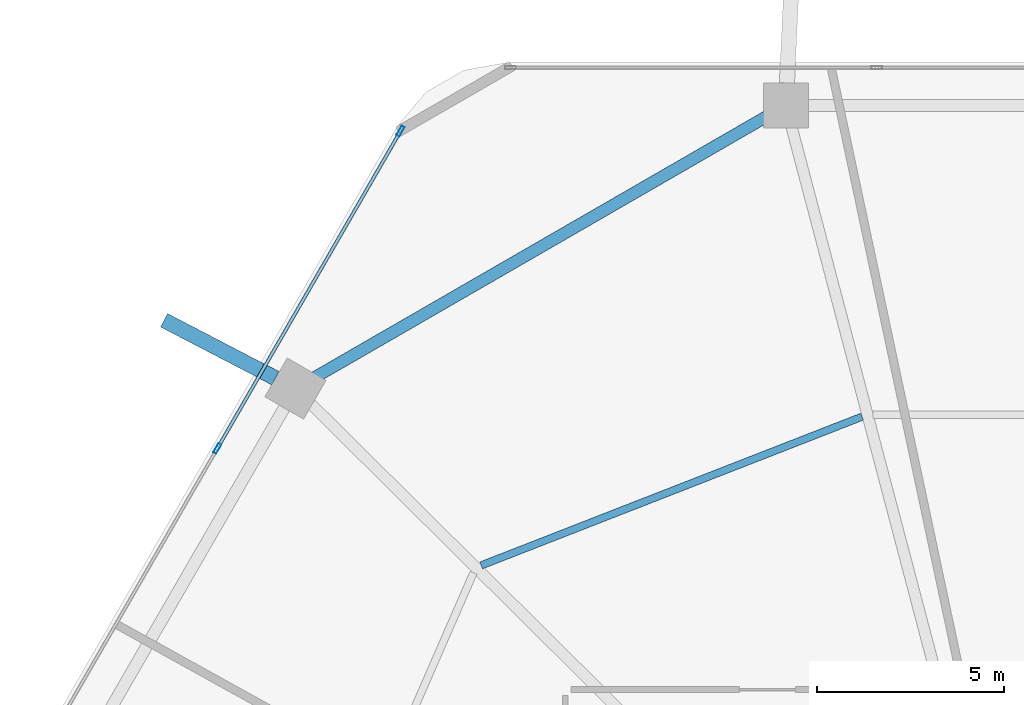
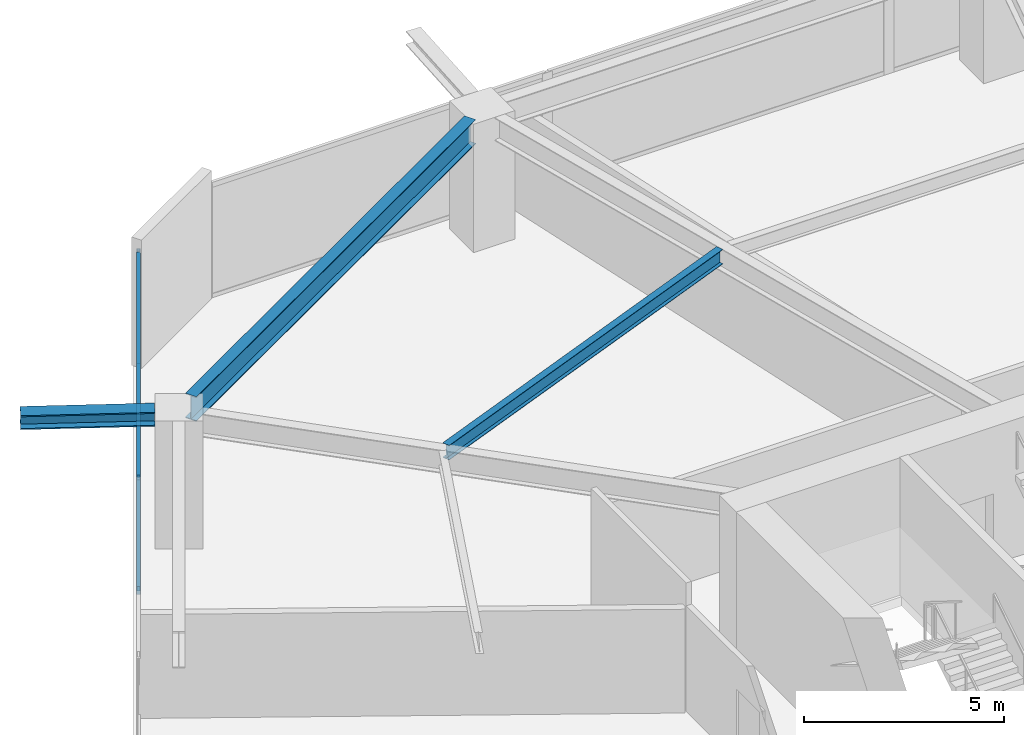
# One storey, part 14 of 25: 4 members, 3 beams, 1 element without a shape of its own.
"""IFC4 building model written with IfcOpenShell, lengths in metres."""

from ifc_helpers import new_model, si_unit, direction, frame, origin, origin_2d, place, context, subcontext, project, spatial, hollow_rectangle, i_section, extrude, material, material_profile, profile_set, type_object, element, aggregate, save


model = new_model("IFC4")

# Units and contexts
model_context = context("Model", 3, precision=1e-05, world=origin(), true_north=direction((0.0, 1.0)))
body_context = subcontext(model_context, "Body", "Model", "MODEL_VIEW")
ifc_project = project(units=[si_unit("LENGTHUNIT", "METRE"), si_unit("AREAUNIT", "SQUARE_METRE"), si_unit("VOLUMEUNIT", "CUBIC_METRE"), si_unit("PLANEANGLEUNIT", "RADIAN"), si_unit("MASSUNIT", "GRAM", prefix="KILO")], contexts=[model_context])

# Site, building, storey
site_placement = place(None, origin())
site = spatial("IfcSite", under=ifc_project, at=site_placement, CompositionType="ELEMENT")
building_placement = place(site_placement, origin())
building = spatial("IfcBuilding", under=site, at=building_placement, Name="Zuhravey Tower", CompositionType="ELEMENT")
storey_placement = place(building_placement, frame((0.0, 0.0, 62.39990234375)))
storey = spatial("IfcBuildingStorey", under=building, at=storey_placement, Name="L15", CompositionType="ELEMENT", Elevation=62.39990234375)

# Curtain wall, members
ifc_material_1 = material(Name="Thermally broken anodised aluminium", Category="aluminium")
curtain_wall_type = type_object("IfcCurtainWallType", Name="School Low-E Unitised Curtain Wall CW1", PredefinedType="NOTDEFINED", material=ifc_material_1)
curtain_wall_placement = place(storey_placement, origin())
curtain_wall = element("IfcCurtainWall", 1, at=curtain_wall_placement, inside=storey, type_object=curtain_wall_type, Name="L15 CW1 CW-L15-F3-1", PredefinedType="NOTDEFINED")
ifc_material_2 = material(Name="Anodised aluminium", Category="aluminium")
ifc_material_profile_1 = material_profile(ifc_material_2, hollow_rectangle(XDim=0.090087890625, YDim=0.284912109375, WallThickness=0.0048828125, at=origin_2d()), Name="ALU-RHS-90x285x5")
ifc_profile_set_1 = profile_set([ifc_material_profile_1], Name="Anodised aluminium")
member_type_1 = type_object("IfcMemberType", Name="Curtain-Wall Mullion 90x180", PredefinedType="MULLION", material=ifc_profile_set_1)
member_1_placement = place(storey_placement, frame((13.387939453125, 50.75146484375, 0.0), z_axis=(0.0, 0.0, 1.0), x_axis=(-0.86602552265, 0.499999794119, 0.0)))
member_1 = element("IfcMember", 2, at=member_1_placement, type_object=member_type_1, Name="CW1 mullion 3", PredefinedType="MULLION", context=body_context, shape_type="SweptSolid", body=[
    extrude(hollow_rectangle(XDim=0.090087890625, YDim=0.284912109375, WallThickness=0.0048828125, at=origin_2d()), origin(), (0.0, 0.0, 1.0), 3.4921875),
])
member_2_placement = place(storey_placement, frame((18.298583984375, 59.257080078125, 0.0), z_axis=(0.0, 0.0, 1.0), x_axis=(-0.86602552265, 0.499999794119, 0.0)))
member_2 = element("IfcMember", 3, at=member_2_placement, type_object=member_type_1, Name="CW1 mullion 4", PredefinedType="MULLION", context=body_context, shape_type="SweptSolid", body=[
    extrude(hollow_rectangle(XDim=0.090087890625, YDim=0.284912109375, WallThickness=0.0048828125, at=origin_2d()), origin(), (0.0, 0.0, 1.0), 3.4921875),
])
ifc_material_profile_2 = material_profile(ifc_material_2, hollow_rectangle(XDim=0.090087890625, YDim=0.14990234375, WallThickness=0.0048828125, at=origin_2d()), Name="ALU-RHS-90x150x5")
ifc_profile_set_2 = profile_set([ifc_material_profile_2], Name="Anodised aluminium")
member_type_2 = type_object("IfcMemberType", Name="Curtain-Wall Transom 90x150", PredefinedType="USERDEFINED", material=ifc_profile_set_2)
member_3_placement = place(storey_placement, frame((13.410400390625, 50.79052734375, 0.045166015625), z_axis=(0.499989576763, 0.86603142156, 0.0), x_axis=(-0.86603142156, 0.499989576763, 0.0)))
member_3 = element("IfcMember", 4, at=member_3_placement, type_object=member_type_2, Name="CW1 transom 3.1", ObjectType="TRANSOM", PredefinedType="USERDEFINED", context=body_context, shape_type="SweptSolid", body=[
    extrude(hollow_rectangle(XDim=0.090087890625, YDim=0.14990234375, WallThickness=0.0048828125, at=origin_2d()), origin(), (0.0, 0.0, 1.0), 9.731201171875),
])
member_4_placement = place(storey_placement, frame((13.410400390625, 50.79052734375, 3.447021484375), z_axis=(0.499989576763, 0.86603142156, 0.0), x_axis=(-0.86603142156, 0.499989576763, 0.0)))
member_4 = element("IfcMember", 5, at=member_4_placement, type_object=member_type_2, Name="CW1 transom 3.2", ObjectType="TRANSOM", PredefinedType="USERDEFINED", context=body_context, shape_type="SweptSolid", body=[
    extrude(hollow_rectangle(XDim=0.090087890625, YDim=0.14990234375, WallThickness=0.0048828125, at=origin_2d()), origin(), (0.0, 0.0, 1.0), 9.731201171875),
])
aggregate(curtain_wall, [member_1, member_2, member_3, member_4])

# Beams
ifc_material_3 = material(Name="Steel SM460", Category="steel")
ifc_material_profile_3 = material_profile(ifc_material_3, i_section(OverallWidth=0.406982421875, OverallDepth=0.427978515625, WebThickness=0.02001953125, FlangeThickness=0.034912109375, at=origin_2d()), Name="H-428x407x20x35")
ifc_profile_set_3 = profile_set([ifc_material_profile_3], Name="Steel SM460")
beam_type_1 = type_object("IfcBeamType", Name="Exoskeleton Node Tie Beam H428x407", PredefinedType="BEAM", material=ifc_profile_set_3)
beam_1_placement = place(storey_placement, frame((14.944580078125, 52.6357421875, 3.7060546875), z_axis=(-0.887292824328, 0.461206508949, 0.0), x_axis=(-0.461206508949, -0.887292824328, 0.0)))
element("IfcBeam", 6, at=beam_1_placement, inside=storey, type_object=beam_type_1, Name="L15 Exoskeleton Node Tie NT1-05", PredefinedType="BEAM", context=body_context, shape_type="SweptSolid", body=[
    extrude(i_section(OverallWidth=0.406982421875, OverallDepth=0.427978515625, WebThickness=0.02001953125, FlangeThickness=0.034912109375, at=origin_2d()), origin(), (0.0, 0.0, 1.0), 3.364501953125),
])
ifc_material_4 = material(Name="Steel SM355", Category="steel")
ifc_material_profile_4 = material_profile(ifc_material_4, i_section(OverallWidth=0.320068359375, OverallDepth=0.75, WebThickness=0.013916015625, FlangeThickness=0.02490234375, at=origin_2d()), Name="H-750x320x14x25")
ifc_profile_set_4 = profile_set([ifc_material_profile_4], Name="Steel SM355")
beam_type_2 = type_object("IfcBeamType", Name="Perimeter Ring Beam H750x320", PredefinedType="BEAM", material=ifc_profile_set_4)
beam_2_placement = place(storey_placement, frame((28.10791015625, 59.64697265625, 3.545166015625), z_axis=(-0.866029969761, -0.499992091414, 0.0), x_axis=(0.499992091414, -0.866029969761, 0.0)))
element("IfcBeam", 7, at=beam_2_placement, inside=storey, type_object=beam_type_2, Name="L15 PB1 BM-L15-PB-04", PredefinedType="BEAM", context=body_context, shape_type="SweptSolid", body=[
    extrude(i_section(OverallWidth=0.320068359375, OverallDepth=0.75, WebThickness=0.013916015625, FlangeThickness=0.02490234375, at=origin_2d()), origin(), (0.0, 0.0, 1.0), 13.977294921875),
])
ifc_material_profile_5 = material_profile(ifc_material_4, i_section(OverallWidth=0.199951171875, OverallDepth=0.449951171875, WebThickness=0.009033203125, FlangeThickness=0.013916015625, at=origin_2d()), Name="H-450x200x9x14")
ifc_profile_set_5 = profile_set([ifc_material_profile_5], Name="Steel SM355")
beam_type_3 = type_object("IfcBeamType", Name="Secondary Floor Joist H450x200", PredefinedType="JOIST", material=ifc_profile_set_5)
beam_3_placement = place(storey_placement, frame((30.67236328125, 51.60302734375, 3.695068359375), z_axis=(-0.931516535886, -0.363698973562, 0.0), x_axis=(0.363698973562, -0.931516535886, 0.0)))
element("IfcBeam", 8, at=beam_3_placement, inside=storey, type_object=beam_type_3, Name="L15 SJ1 BM-L15-SJ-04-1", PredefinedType="JOIST", context=body_context, shape_type="SweptSolid", body=[
    extrude(i_section(OverallWidth=0.199951171875, OverallDepth=0.449951171875, WebThickness=0.009033203125, FlangeThickness=0.013916015625, at=origin_2d()), origin(), (0.0, 0.0, 1.0), 10.963134765625),
])

save(model, "model.ifc")
